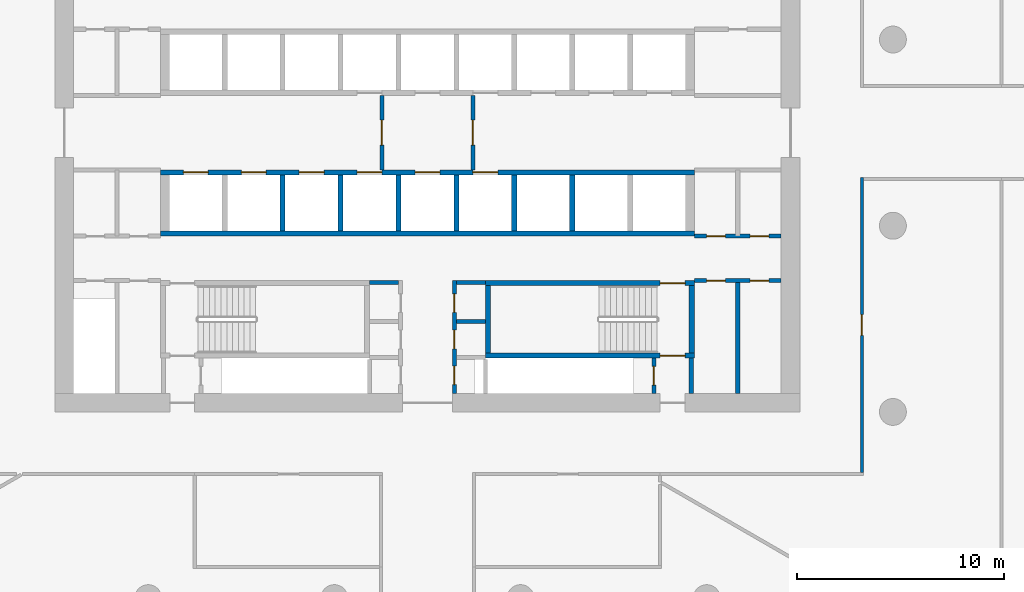
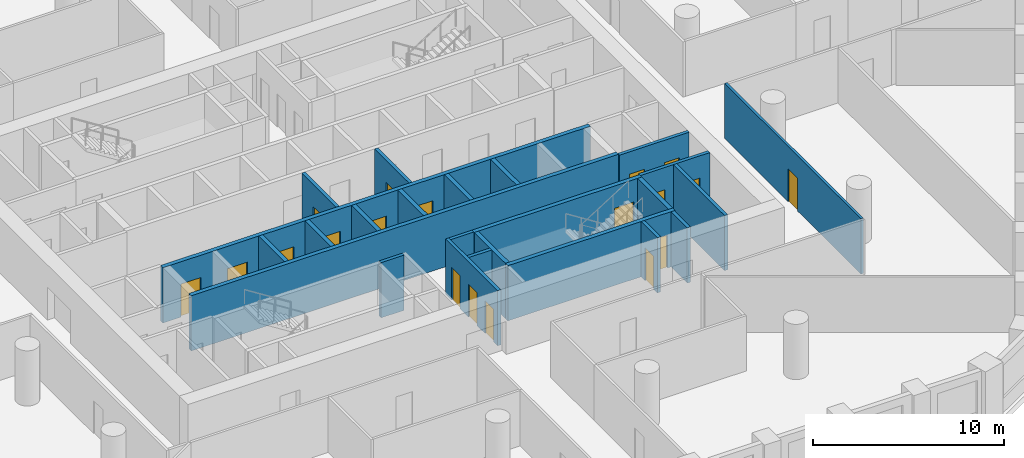
# One storey, part 4 of 10: 24 walls, 19 doors, 19 openings.
"""IFC4 building model written with IfcOpenShell, lengths in metres."""

from ifc_helpers import new_model, si_unit, direction, frame, frame_2d, origin, place, context, subcontext, project, spatial, polyline, rectangle, outline, extrude, material, layer, layer_set, type_object, element, fill, save


model = new_model("IFC4")

# Units and contexts
model_context = context("Model", 3, precision=1e-05, world=origin(), true_north=direction((0.0, 1.0)))
body_context = subcontext(model_context, "Body", "Model", "MODEL_VIEW")
ifc_project = project(units=[si_unit("LENGTHUNIT", "METRE"), si_unit("AREAUNIT", "SQUARE_METRE"), si_unit("VOLUMEUNIT", "CUBIC_METRE"), si_unit("PLANEANGLEUNIT", "RADIAN"), si_unit("MASSUNIT", "GRAM", prefix="KILO")], contexts=[model_context])

# Site, building, storey
site_placement = place(None, origin())
site = spatial("IfcSite", under=ifc_project, at=site_placement, CompositionType="ELEMENT")
building_placement = place(site_placement, origin())
building = spatial("IfcBuilding", under=site, at=building_placement, Name="Dhurran Vertical Campus", CompositionType="ELEMENT")
storey_placement = place(building_placement, frame((0.0, 0.0, 112.5)))
storey = spatial("IfcBuildingStorey", under=building, at=storey_placement, Name="L27", CompositionType="ELEMENT", Elevation=112.5)

# Wall, opening, door
ifc_material_1 = material(Name="Fire-rated masonry blockwork", Category="masonry")
ifc_layer_1 = layer(ifc_material_1, 0.199951171875)
ifc_layer_set_1 = layer_set([ifc_layer_1], Name="Fire-rated masonry blockwork")
wall_type_1 = type_object("IfcWallType", Name="co-FIRE-PARTITION-200", PredefinedType="PARTITIONING", material=ifc_layer_set_1)
wall_1_placement = place(storey_placement, frame((-2.199951171875, -1.800048828125, 0.0), z_axis=(0.0, 0.0, 1.0), x_axis=(0.0, 1.0, 0.0)))
wall_1 = element("IfcWall", 1, at=wall_1_placement, inside=storey, type_object=wall_type_1, Name="Firefighting lobby wall W L27", PredefinedType="PARTITIONING", context=body_context, shape_type="SweptSolid", body=[
    extrude(rectangle(XDim=3.60009765625, YDim=0.199951171875, at=frame_2d((1.800048828125, 0.0))), origin(), (0.0, 0.0, 1.0), 3.52490234375),
])
opening_1_placement = place(wall_1_placement, frame((1.199951171875, 0.0, 0.0)))
opening_1 = element("IfcOpeningElement", 2, at=opening_1_placement, cuts=wall_1, Name="Opening FL1", PredefinedType="OPENING", context=body_context, shape_type="SweptSolid", body=[
    extrude(rectangle(XDim=1.199951171875, YDim=2.10009765625, at=frame_2d((0.60009765625, 1.050048828125))), frame((0.0, 0.10986328125, 0.0), z_axis=(0.0, -1.0, 0.0), x_axis=(1.0, 0.0, 0.0)), (0.0, 0.0, 1.0), 0.219970703125),
])
ifc_material_2 = material(Name="Fire-rated steel door set", Category="steel")
door_type_1 = type_object("IfcDoorType", Name="co-D-FFLOBBY 1200x2100", OperationType="SINGLE_SWING_LEFT", PredefinedType="DOOR", material=ifc_material_2)
door_1_placement = place(opening_1_placement, origin())
door_1 = element("IfcDoor", 3, at=door_1_placement, inside=storey, type_object=door_type_1, Name="Firefighting lobby door W L27", OperationType="SINGLE_SWING_LEFT", OverallHeight=2.10009765625, OverallWidth=1.199951171875, PredefinedType="DOOR", context=body_context, shape_type="SweptSolid", body=[
    extrude(rectangle(XDim=1.199951171875, YDim=2.10009765625, at=frame_2d((0.60009765625, 1.050048828125))), frame((0.0, 0.02490234375, 0.0), z_axis=(0.0, -1.0, 0.0), x_axis=(1.0, 0.0, 0.0)), (0.0, 0.0, 1.0), 0.050048828125),
])
fill(opening_1, door_1)

wall_2_placement = place(storey_placement, frame((2.199951171875, -1.800048828125, 0.0), z_axis=(0.0, 0.0, 1.0), x_axis=(0.0, 1.0, 0.0)))
wall_2 = element("IfcWall", 4, at=wall_2_placement, inside=storey, type_object=wall_type_1, Name="Firefighting lobby wall E L27", PredefinedType="PARTITIONING", context=body_context, shape_type="SweptSolid", body=[
    extrude(rectangle(XDim=3.60009765625, YDim=0.199951171875, at=frame_2d((1.800048828125, 0.0))), origin(), (0.0, 0.0, 1.0), 3.52490234375),
])
opening_2_placement = place(wall_2_placement, frame((1.199951171875, 0.0, 0.0)))
opening_2 = element("IfcOpeningElement", 5, at=opening_2_placement, cuts=wall_2, Name="Opening FL2", PredefinedType="OPENING", context=body_context, shape_type="SweptSolid", body=[
    extrude(rectangle(XDim=1.199951171875, YDim=2.10009765625, at=frame_2d((0.60009765625, 1.050048828125))), frame((0.0, 0.10986328125, 0.0), z_axis=(0.0, -1.0, 0.0), x_axis=(1.0, 0.0, 0.0)), (0.0, 0.0, 1.0), 0.219970703125),
])
door_2_placement = place(opening_2_placement, origin())
door_2 = element("IfcDoor", 6, at=door_2_placement, inside=storey, type_object=door_type_1, Name="Firefighting lobby door E L27", OperationType="SINGLE_SWING_LEFT", OverallHeight=2.10009765625, OverallWidth=1.199951171875, PredefinedType="DOOR", context=body_context, shape_type="SweptSolid", body=[
    extrude(rectangle(XDim=1.199951171875, YDim=2.10009765625, at=frame_2d((0.60009765625, 1.050048828125))), frame((0.0, 0.02490234375, 0.0), z_axis=(0.0, -1.0, 0.0), x_axis=(1.0, 0.0, 0.0)), (0.0, 0.0, 1.0), 0.050048828125),
])
fill(opening_2, door_2)

# Walls
for number, where, z_axis, x_axis, name in (
    (7, (-2.800048828125, -7.25, 0.0), (0.0, 0.0, 1.0), (1.0, 0.0, 0.0), "Core partition sl-SW-S L27"),
    (8, (1.39990234375, -7.25, 0.0), (0.0, 0.0, 1.0), (1.0, 0.0, 0.0), "Core partition sl-SE-S L27"),
    (9, (1.39990234375, -9.135009765625, 0.0), (0.0, 0.0, 1.0), (1.0, 0.0, 0.0), "Core partition sl-SE-cut0 L27"),
):
    element("IfcWall", number, at=place(storey_placement, frame(where, z_axis=z_axis, x_axis=x_axis)), inside=storey, type_object=wall_type_1, Name=name, PredefinedType="PARTITIONING", context=body_context, shape_type="SweptSolid", body=[
        extrude(rectangle(XDim=1.400146484375, YDim=0.199951171875, at=frame_2d((0.7001953125, 0.0))), origin(), (0.0, 0.0, 1.0), 3.52490234375),
    ])

# Wall, openings, doors
wall_3_placement = place(storey_placement, frame((1.300048828125, -12.60009765625, 0.0), z_axis=(0.0, 0.0, 1.0), x_axis=(0.0, 1.0, 0.0)))
wall_3 = element("IfcWall", 10, at=wall_3_placement, inside=storey, type_object=wall_type_1, Name="Core partition vest-SE L27", PredefinedType="PARTITIONING", context=body_context, shape_type="SweptSolid", body=[
    extrude(rectangle(XDim=5.4501953125, YDim=0.199951171875, at=frame_2d((2.72509765625, 0.0))), origin(), (0.0, 0.0, 1.0), 3.52490234375),
])
opening_3_placement = place(wall_3_placement, frame((0.416259765625, 0.0, 0.0)))
opening_3 = element("IfcOpeningElement", 11, at=opening_3_placement, cuts=wall_3, Name="Opening T07-C4", PredefinedType="OPENING", context=body_context, shape_type="SweptSolid", body=[
    extrude(rectangle(XDim=0.89990234375, YDim=2.10009765625, at=frame_2d((0.449951171875, 1.050048828125))), frame((0.0, 0.10986328125, 0.0), z_axis=(0.0, -1.0, 0.0), x_axis=(1.0, 0.0, 0.0)), (0.0, 0.0, 1.0), 0.219970703125),
])
opening_4_placement = place(wall_3_placement, frame((2.148681640625, 0.0, 0.0)))
opening_4 = element("IfcOpeningElement", 12, at=opening_4_placement, cuts=wall_3, Name="Opening T07-C5", PredefinedType="OPENING", context=body_context, shape_type="SweptSolid", body=[
    extrude(rectangle(XDim=0.89990234375, YDim=2.10009765625, at=frame_2d((0.449951171875, 1.050048828125))), frame((0.0, 0.10986328125, 0.0), z_axis=(0.0, -1.0, 0.0), x_axis=(1.0, 0.0, 0.0)), (0.0, 0.0, 1.0), 0.219970703125),
])
opening_5_placement = place(wall_3_placement, frame((3.907470703125, 0.0, 0.0)))
opening_5 = element("IfcOpeningElement", 13, at=opening_5_placement, cuts=wall_3, Name="Opening T07-C6", PredefinedType="OPENING", context=body_context, shape_type="SweptSolid", body=[
    extrude(rectangle(XDim=0.89990234375, YDim=2.10009765625, at=frame_2d((0.449951171875, 1.050048828125))), frame((0.0, 0.10986328125, 0.0), z_axis=(0.0, -1.0, 0.0), x_axis=(1.0, 0.0, 0.0)), (0.0, 0.0, 1.0), 0.219970703125),
])
ifc_material_3 = material(Name="Fire-rated timber door set", Category="wood")
door_type_2 = type_object("IfcDoorType", Name="co-D-ROOM 900x2100", OperationType="SINGLE_SWING_LEFT", PredefinedType="DOOR", material=ifc_material_3)
door_3_placement = place(opening_3_placement, origin())
door_3 = element("IfcDoor", 14, at=door_3_placement, inside=storey, type_object=door_type_2, Name="Electrical riser door L27", OperationType="SINGLE_SWING_LEFT", OverallHeight=2.10009765625, OverallWidth=0.89990234375, PredefinedType="DOOR", context=body_context, shape_type="SweptSolid", body=[
    extrude(rectangle(XDim=0.89990234375, YDim=2.10009765625, at=frame_2d((0.449951171875, 1.050048828125))), frame((0.0, 0.02490234375, 0.0), z_axis=(0.0, -1.0, 0.0), x_axis=(1.0, 0.0, 0.0)), (0.0, 0.0, 1.0), 0.050048828125),
])
fill(opening_3, door_3)
door_4_placement = place(opening_4_placement, origin())
door_4 = element("IfcDoor", 15, at=door_4_placement, inside=storey, type_object=door_type_2, Name="Fire equipment store door L27", OperationType="SINGLE_SWING_LEFT", OverallHeight=2.10009765625, OverallWidth=0.89990234375, PredefinedType="DOOR", context=body_context, shape_type="SweptSolid", body=[
    extrude(rectangle(XDim=0.89990234375, YDim=2.10009765625, at=frame_2d((0.449951171875, 1.050048828125))), frame((0.0, 0.02490234375, 0.0), z_axis=(0.0, -1.0, 0.0), x_axis=(1.0, 0.0, 0.0)), (0.0, 0.0, 1.0), 0.050048828125),
])
fill(opening_4, door_4)
door_5_placement = place(opening_5_placement, origin())
door_5 = element("IfcDoor", 16, at=door_5_placement, inside=storey, type_object=door_type_2, Name="Pantry door L27", OperationType="SINGLE_SWING_LEFT", OverallHeight=2.10009765625, OverallWidth=0.89990234375, PredefinedType="DOOR", context=body_context, shape_type="SweptSolid", body=[
    extrude(rectangle(XDim=0.89990234375, YDim=2.10009765625, at=frame_2d((0.449951171875, 1.050048828125))), frame((0.0, 0.02490234375, 0.0), z_axis=(0.0, -1.0, 0.0), x_axis=(1.0, 0.0, 0.0)), (0.0, 0.0, 1.0), 0.050048828125),
])
fill(opening_5, door_5)

# Wall
wall_4_placement = place(storey_placement, frame((12.75, -12.60009765625, 0.0), z_axis=(0.0, 0.0, 1.0), x_axis=(0.0, 1.0, 0.0)))
element("IfcWall", 17, at=wall_4_placement, inside=storey, type_object=wall_type_1, Name="Core partition pass-ST4-o L27", PredefinedType="PARTITIONING", context=body_context, shape_type="SweptSolid", body=[
    extrude(rectangle(XDim=1.7001953125, YDim=0.199951171875, at=frame_2d((0.85009765625, 0.0))), origin(), (0.0, 0.0, 1.0), 3.52490234375),
])

# Wall, opening, door
wall_5_placement = place(storey_placement, frame((10.949951171875, -12.60009765625, 0.0), z_axis=(0.0, 0.0, 1.0), x_axis=(0.0, 1.0, 0.0)))
wall_5 = element("IfcWall", 18, at=wall_5_placement, inside=storey, type_object=wall_type_1, Name="Core partition pass-ST4-i L27", PredefinedType="PARTITIONING", context=body_context, shape_type="SweptSolid", body=[
    extrude(rectangle(XDim=1.7001953125, YDim=0.199951171875, at=frame_2d((0.85009765625, 0.0))), origin(), (0.0, 0.0, 1.0), 3.52490234375),
])
opening_6_placement = place(wall_5_placement, frame((0.39990234375, 0.0, 0.0)))
opening_6 = element("IfcOpeningElement", 19, at=opening_6_placement, cuts=wall_5, Name="Opening T07-C16", PredefinedType="OPENING", context=body_context, shape_type="SweptSolid", body=[
    extrude(rectangle(XDim=0.89990234375, YDim=2.10009765625, at=frame_2d((0.449951171875, 1.050048828125))), frame((0.0, 0.10986328125, 0.0), z_axis=(0.0, -1.0, 0.0), x_axis=(1.0, 0.0, 0.0)), (0.0, 0.0, 1.0), 0.219970703125),
])
door_6_placement = place(opening_6_placement, origin())
door_6 = element("IfcDoor", 20, at=door_6_placement, inside=storey, type_object=door_type_2, Name="Riser room door L27", OperationType="SINGLE_SWING_LEFT", OverallHeight=2.10009765625, OverallWidth=0.89990234375, PredefinedType="DOOR", context=body_context, shape_type="SweptSolid", body=[
    extrude(rectangle(XDim=0.89990234375, YDim=2.10009765625, at=frame_2d((0.449951171875, 1.050048828125))), frame((0.0, 0.02490234375, 0.0), z_axis=(0.0, -1.0, 0.0), x_axis=(1.0, 0.0, 0.0)), (0.0, 0.0, 1.0), 0.050048828125),
])
fill(opening_6, door_6)

# Wall
wall_6_placement = place(storey_placement, frame((15.0, -12.60009765625, 0.0), z_axis=(0.0, 0.0, 1.0), x_axis=(0.0, 1.0, 0.0)))
element("IfcWall", 21, at=wall_6_placement, inside=storey, type_object=wall_type_1, Name="Core partition en-SE-cut0 L27", PredefinedType="PARTITIONING", context=body_context, shape_type="SweptSolid", body=[
    extrude(rectangle(XDim=5.4501953125, YDim=0.199951171875, at=frame_2d((2.72509765625, 0.0))), origin(), (0.0, 0.0, 1.0), 3.52490234375),
])

# Wall, openings, doors
wall_7_placement = place(storey_placement, frame((12.89990234375, -7.14990234375, 0.0), z_axis=(0.0, 0.0, 1.0), x_axis=(1.0, 0.0, 0.0)))
wall_7 = element("IfcWall", 22, at=wall_7_placement, inside=storey, type_object=wall_type_1, Name="Core partition en-SE-w L27", PredefinedType="PARTITIONING", context=body_context, shape_type="SweptSolid", body=[
    extrude(rectangle(XDim=4.2001953125, YDim=0.199951171875, at=frame_2d((2.10009765625, 0.0))), origin(), (0.0, 0.0, 1.0), 3.52490234375),
])
opening_7_placement = place(wall_7_placement, frame((0.60009765625, 0.0, 0.0)))
opening_7 = element("IfcOpeningElement", 23, at=opening_7_placement, cuts=wall_7, Name="Opening T07-C28", PredefinedType="OPENING", context=body_context, shape_type="SweptSolid", body=[
    extrude(rectangle(XDim=0.89990234375, YDim=2.10009765625, at=frame_2d((0.449951171875, 1.050048828125))), frame((0.0, 0.10986328125, 0.0), z_axis=(0.0, -1.0, 0.0), x_axis=(1.0, 0.0, 0.0)), (0.0, 0.0, 1.0), 0.219970703125),
])
opening_8_placement = place(wall_7_placement, frame((2.699951171875, 0.0, 0.0)))
opening_8 = element("IfcOpeningElement", 24, at=opening_8_placement, cuts=wall_7, Name="Opening T07-C29", PredefinedType="OPENING", context=body_context, shape_type="SweptSolid", body=[
    extrude(rectangle(XDim=0.89990234375, YDim=2.10009765625, at=frame_2d((0.449951171875, 1.050048828125))), frame((0.0, 0.10986328125, 0.0), z_axis=(0.0, -1.0, 0.0), x_axis=(1.0, 0.0, 0.0)), (0.0, 0.0, 1.0), 0.219970703125),
])
door_7_placement = place(opening_7_placement, origin())
door_7 = element("IfcDoor", 25, at=door_7_placement, inside=storey, type_object=door_type_2, Name="Communications room door L27", OperationType="SINGLE_SWING_LEFT", OverallHeight=2.10009765625, OverallWidth=0.89990234375, PredefinedType="DOOR", context=body_context, shape_type="SweptSolid", body=[
    extrude(rectangle(XDim=0.89990234375, YDim=2.10009765625, at=frame_2d((0.449951171875, 1.050048828125))), frame((0.0, 0.02490234375, 0.0), z_axis=(0.0, -1.0, 0.0), x_axis=(1.0, 0.0, 0.0)), (0.0, 0.0, 1.0), 0.050048828125),
])
fill(opening_7, door_7)
door_8_placement = place(opening_8_placement, origin())
door_8 = element("IfcDoor", 26, at=door_8_placement, inside=storey, type_object=door_type_2, Name="Waste room door L27", OperationType="SINGLE_SWING_LEFT", OverallHeight=2.10009765625, OverallWidth=0.89990234375, PredefinedType="DOOR", context=body_context, shape_type="SweptSolid", body=[
    extrude(rectangle(XDim=0.89990234375, YDim=2.10009765625, at=frame_2d((0.449951171875, 1.050048828125))), frame((0.0, 0.02490234375, 0.0), z_axis=(0.0, -1.0, 0.0), x_axis=(1.0, 0.0, 0.0)), (0.0, 0.0, 1.0), 0.050048828125),
])
fill(opening_8, door_8)

wall_8_placement = place(storey_placement, frame((12.89990234375, -5.0, 0.0), z_axis=(0.0, 0.0, 1.0), x_axis=(1.0, 0.0, 0.0)))
wall_8 = element("IfcWall", 27, at=wall_8_placement, inside=storey, type_object=wall_type_1, Name="Core partition es-SE-w L27", PredefinedType="PARTITIONING", context=body_context, shape_type="SweptSolid", body=[
    extrude(rectangle(XDim=4.2001953125, YDim=0.199951171875, at=frame_2d((2.10009765625, 0.0))), origin(), (0.0, 0.0, 1.0), 3.52490234375),
])
opening_9_placement = place(wall_8_placement, frame((0.60009765625, 0.0, 0.0)))
opening_9 = element("IfcOpeningElement", 28, at=opening_9_placement, cuts=wall_8, Name="Opening T07-C30", PredefinedType="OPENING", context=body_context, shape_type="SweptSolid", body=[
    extrude(rectangle(XDim=0.89990234375, YDim=2.10009765625, at=frame_2d((0.449951171875, 1.050048828125))), frame((0.0, 0.10986328125, 0.0), z_axis=(0.0, -1.0, 0.0), x_axis=(1.0, 0.0, 0.0)), (0.0, 0.0, 1.0), 0.219970703125),
])
opening_10_placement = place(wall_8_placement, frame((2.699951171875, 0.0, 0.0)))
opening_10 = element("IfcOpeningElement", 29, at=opening_10_placement, cuts=wall_8, Name="Opening T07-C31", PredefinedType="OPENING", context=body_context, shape_type="SweptSolid", body=[
    extrude(rectangle(XDim=0.89990234375, YDim=2.10009765625, at=frame_2d((0.449951171875, 1.050048828125))), frame((0.0, 0.10986328125, 0.0), z_axis=(0.0, -1.0, 0.0), x_axis=(1.0, 0.0, 0.0)), (0.0, 0.0, 1.0), 0.219970703125),
])
door_9_placement = place(opening_9_placement, origin())
door_9 = element("IfcDoor", 30, at=door_9_placement, inside=storey, type_object=door_type_2, Name="Waste room door L27", OperationType="SINGLE_SWING_LEFT", OverallHeight=2.10009765625, OverallWidth=0.89990234375, PredefinedType="DOOR", context=body_context, shape_type="SweptSolid", body=[
    extrude(rectangle(XDim=0.89990234375, YDim=2.10009765625, at=frame_2d((0.449951171875, 1.050048828125))), frame((0.0, 0.02490234375, 0.0), z_axis=(0.0, -1.0, 0.0), x_axis=(1.0, 0.0, 0.0)), (0.0, 0.0, 1.0), 0.050048828125),
])
fill(opening_9, door_9)
door_10_placement = place(opening_10_placement, origin())
door_10 = element("IfcDoor", 31, at=door_10_placement, inside=storey, type_object=door_type_2, Name="Store door L27", OperationType="SINGLE_SWING_LEFT", OverallHeight=2.10009765625, OverallWidth=0.89990234375, PredefinedType="DOOR", context=body_context, shape_type="SweptSolid", body=[
    extrude(rectangle(XDim=0.89990234375, YDim=2.10009765625, at=frame_2d((0.449951171875, 1.050048828125))), frame((0.0, 0.02490234375, 0.0), z_axis=(0.0, -1.0, 0.0), x_axis=(1.0, 0.0, 0.0)), (0.0, 0.0, 1.0), 0.050048828125),
])
fill(opening_10, door_10)

ifc_material_4 = material(Name="Concrete C50/60", Category="concrete")
ifc_layer_2 = layer(ifc_material_4, 0.25)
ifc_layer_set_2 = layer_set([ifc_layer_2], Name="Concrete C50/60")
wall_type_2 = type_object("IfcWallType", Name="co-SHAFT-FRONT-250", PredefinedType="SHEAR", material=ifc_layer_set_2)
wall_9_placement = place(storey_placement, frame((-12.89990234375, -1.925048828125, 0.0), z_axis=(0.0, 0.0, 1.0), x_axis=(1.0, 0.0, 0.0)))
wall_9 = element("IfcWall", 32, at=wall_9_placement, inside=storey, type_object=wall_type_2, Name="Lift landing wall S L27", PredefinedType="SHEAR", context=body_context, shape_type="SweptSolid", body=[
    extrude(rectangle(XDim=25.7998046875, YDim=0.25, at=frame_2d((12.89990234375, 0.0))), origin(), (0.0, 0.0, 1.0), 3.52490234375),
])
opening_11_placement = place(wall_9_placement, frame((1.10009765625, 0.0, 0.0)))
opening_11 = element("IfcOpeningElement", 33, at=opening_11_placement, cuts=wall_9, Name="Opening LD", PredefinedType="OPENING", context=body_context, shape_type="SweptSolid", body=[
    extrude(rectangle(XDim=1.199951171875, YDim=2.10009765625, at=frame_2d((0.60009765625, 1.050048828125))), frame((0.0, 0.135009765625, 0.0), z_axis=(0.0, -1.0, 0.0), x_axis=(1.0, 0.0, 0.0)), (0.0, 0.0, 1.0), 0.27001953125),
])
opening_12_placement = place(wall_9_placement, frame((3.89990234375, 0.0, 0.0)))
opening_12 = element("IfcOpeningElement", 34, at=opening_12_placement, cuts=wall_9, Name="Opening LD", PredefinedType="OPENING", context=body_context, shape_type="SweptSolid", body=[
    extrude(rectangle(XDim=1.199951171875, YDim=2.10009765625, at=frame_2d((0.60009765625, 1.050048828125))), frame((0.0, 0.135009765625, 0.0), z_axis=(0.0, -1.0, 0.0), x_axis=(1.0, 0.0, 0.0)), (0.0, 0.0, 1.0), 0.27001953125),
])
opening_13_placement = place(wall_9_placement, frame((6.699951171875, 0.0, 0.0)))
opening_13 = element("IfcOpeningElement", 35, at=opening_13_placement, cuts=wall_9, Name="Opening LD", PredefinedType="OPENING", context=body_context, shape_type="SweptSolid", body=[
    extrude(rectangle(XDim=1.199951171875, YDim=2.10009765625, at=frame_2d((0.60009765625, 1.050048828125))), frame((0.0, 0.135009765625, 0.0), z_axis=(0.0, -1.0, 0.0), x_axis=(1.0, 0.0, 0.0)), (0.0, 0.0, 1.0), 0.27001953125),
])
opening_14_placement = place(wall_9_placement, frame((9.5, 0.0, 0.0)))
opening_14 = element("IfcOpeningElement", 36, at=opening_14_placement, cuts=wall_9, Name="Opening LD", PredefinedType="OPENING", context=body_context, shape_type="SweptSolid", body=[
    extrude(rectangle(XDim=1.199951171875, YDim=2.10009765625, at=frame_2d((0.60009765625, 1.050048828125))), frame((0.0, 0.135009765625, 0.0), z_axis=(0.0, -1.0, 0.0), x_axis=(1.0, 0.0, 0.0)), (0.0, 0.0, 1.0), 0.27001953125),
])
opening_15_placement = place(wall_9_placement, frame((12.300048828125, 0.0, 0.0)))
opening_15 = element("IfcOpeningElement", 37, at=opening_15_placement, cuts=wall_9, Name="Opening LD", PredefinedType="OPENING", context=body_context, shape_type="SweptSolid", body=[
    extrude(rectangle(XDim=1.199951171875, YDim=2.10009765625, at=frame_2d((0.60009765625, 1.050048828125))), frame((0.0, 0.135009765625, 0.0), z_axis=(0.0, -1.0, 0.0), x_axis=(1.0, 0.0, 0.0)), (0.0, 0.0, 1.0), 0.27001953125),
])
opening_16_placement = place(wall_9_placement, frame((15.10009765625, 0.0, 0.0)))
opening_16 = element("IfcOpeningElement", 38, at=opening_16_placement, cuts=wall_9, Name="Opening LD", PredefinedType="OPENING", context=body_context, shape_type="SweptSolid", body=[
    extrude(rectangle(XDim=1.199951171875, YDim=2.10009765625, at=frame_2d((0.60009765625, 1.050048828125))), frame((0.0, 0.135009765625, 0.0), z_axis=(0.0, -1.0, 0.0), x_axis=(1.0, 0.0, 0.0)), (0.0, 0.0, 1.0), 0.27001953125),
])
ifc_material_5 = material(Name="Stainless steel landing door", Category="steel")
door_type_3 = type_object("IfcDoorType", Name="co-D-LANDING 1200x2100", OperationType="DOUBLE_DOOR_SLIDING", PredefinedType="DOOR", material=ifc_material_5)
door_11_placement = place(opening_11_placement, origin())
door_11 = element("IfcDoor", 39, at=door_11_placement, inside=storey, type_object=door_type_3, Name="Landing door LR5 L27", OperationType="DOUBLE_DOOR_SLIDING", OverallHeight=2.10009765625, OverallWidth=1.199951171875, PredefinedType="DOOR", context=body_context, shape_type="SweptSolid", body=[
    extrude(rectangle(XDim=1.199951171875, YDim=2.10009765625, at=frame_2d((0.60009765625, 1.050048828125))), frame((0.0, 0.02490234375, 0.0), z_axis=(0.0, -1.0, 0.0), x_axis=(1.0, 0.0, 0.0)), (0.0, 0.0, 1.0), 0.050048828125),
])
fill(opening_11, door_11)
door_12_placement = place(opening_12_placement, origin())
door_12 = element("IfcDoor", 40, at=door_12_placement, inside=storey, type_object=door_type_3, Name="Landing door LR6 L27", OperationType="DOUBLE_DOOR_SLIDING", OverallHeight=2.10009765625, OverallWidth=1.199951171875, PredefinedType="DOOR", context=body_context, shape_type="SweptSolid", body=[
    extrude(rectangle(XDim=1.199951171875, YDim=2.10009765625, at=frame_2d((0.60009765625, 1.050048828125))), frame((0.0, 0.02490234375, 0.0), z_axis=(0.0, -1.0, 0.0), x_axis=(1.0, 0.0, 0.0)), (0.0, 0.0, 1.0), 0.050048828125),
])
fill(opening_12, door_12)
door_13_placement = place(opening_13_placement, origin())
door_13 = element("IfcDoor", 41, at=door_13_placement, inside=storey, type_object=door_type_3, Name="Landing door LR7 L27", OperationType="DOUBLE_DOOR_SLIDING", OverallHeight=2.10009765625, OverallWidth=1.199951171875, PredefinedType="DOOR", context=body_context, shape_type="SweptSolid", body=[
    extrude(rectangle(XDim=1.199951171875, YDim=2.10009765625, at=frame_2d((0.60009765625, 1.050048828125))), frame((0.0, 0.02490234375, 0.0), z_axis=(0.0, -1.0, 0.0), x_axis=(1.0, 0.0, 0.0)), (0.0, 0.0, 1.0), 0.050048828125),
])
fill(opening_13, door_13)
door_14_placement = place(opening_14_placement, origin())
door_14 = element("IfcDoor", 42, at=door_14_placement, inside=storey, type_object=door_type_3, Name="Landing door LR8 L27", OperationType="DOUBLE_DOOR_SLIDING", OverallHeight=2.10009765625, OverallWidth=1.199951171875, PredefinedType="DOOR", context=body_context, shape_type="SweptSolid", body=[
    extrude(rectangle(XDim=1.199951171875, YDim=2.10009765625, at=frame_2d((0.60009765625, 1.050048828125))), frame((0.0, 0.02490234375, 0.0), z_axis=(0.0, -1.0, 0.0), x_axis=(1.0, 0.0, 0.0)), (0.0, 0.0, 1.0), 0.050048828125),
])
fill(opening_14, door_14)
door_15_placement = place(opening_15_placement, origin())
door_15 = element("IfcDoor", 43, at=door_15_placement, inside=storey, type_object=door_type_3, Name="Landing door FF2 L27", OperationType="DOUBLE_DOOR_SLIDING", OverallHeight=2.10009765625, OverallWidth=1.199951171875, PredefinedType="DOOR", context=body_context, shape_type="SweptSolid", body=[
    extrude(rectangle(XDim=1.199951171875, YDim=2.10009765625, at=frame_2d((0.60009765625, 1.050048828125))), frame((0.0, 0.02490234375, 0.0), z_axis=(0.0, -1.0, 0.0), x_axis=(1.0, 0.0, 0.0)), (0.0, 0.0, 1.0), 0.050048828125),
])
fill(opening_15, door_15)
door_16_placement = place(opening_16_placement, origin())
door_16 = element("IfcDoor", 44, at=door_16_placement, inside=storey, type_object=door_type_3, Name="Landing door SV1 L27", OperationType="DOUBLE_DOOR_SLIDING", OverallHeight=2.10009765625, OverallWidth=1.199951171875, PredefinedType="DOOR", context=body_context, shape_type="SweptSolid", body=[
    extrude(rectangle(XDim=1.199951171875, YDim=2.10009765625, at=frame_2d((0.60009765625, 1.050048828125))), frame((0.0, 0.02490234375, 0.0), z_axis=(0.0, -1.0, 0.0), x_axis=(1.0, 0.0, 0.0)), (0.0, 0.0, 1.0), 0.050048828125),
])
fill(opening_16, door_16)

# Walls
ifc_material_6 = material(Name="Concrete C50/60", Category="concrete")
ifc_layer_3 = layer(ifc_material_6, 0.25)
ifc_layer_set_3 = layer_set([ifc_layer_3], Name="Concrete C50/60")
wall_type_3 = type_object("IfcWallType", Name="co-SHAFT-MASS-250", PredefinedType="SHEAR", material=ifc_layer_set_3)
wall_10_placement = place(storey_placement, origin())
element("IfcWall", 45, at=wall_10_placement, inside=storey, type_object=wall_type_3, Name="Lift shaft wall S L27 1", PredefinedType="SHEAR", context=body_context, shape_type="SweptSolid", body=[
    extrude(outline(polyline([(-12.89990234375, -5.0), (12.89990234375, -5.0), (12.89990234375, -4.75), (-12.89990234375, -4.75), (-12.89990234375, -5.0)])), origin(), (0.0, 0.0, 1.0), 3.52490234375),
])
wall_11_placement = place(storey_placement, origin())
element("IfcWall", 46, at=wall_11_placement, inside=storey, type_object=wall_type_3, Name="Lift shaft wall S L27 4", PredefinedType="SHEAR", context=body_context, shape_type="SweptSolid", body=[
    extrude(outline(polyline([(-7.125, -4.75), (-6.875, -4.75), (-6.875, -2.050048828125), (-7.125, -2.050048828125), (-7.125, -4.75)])), origin(), (0.0, 0.0, 1.0), 3.52490234375),
])
wall_12_placement = place(storey_placement, origin())
element("IfcWall", 47, at=wall_12_placement, inside=storey, type_object=wall_type_3, Name="Lift shaft wall S L27 5", PredefinedType="SHEAR", context=body_context, shape_type="SweptSolid", body=[
    extrude(outline(polyline([(-4.324951171875, -4.75), (-4.074951171875, -4.75), (-4.074951171875, -2.050048828125), (-4.324951171875, -2.050048828125), (-4.324951171875, -4.75)])), origin(), (0.0, 0.0, 1.0), 3.52490234375),
])
wall_13_placement = place(storey_placement, origin())
element("IfcWall", 48, at=wall_13_placement, inside=storey, type_object=wall_type_3, Name="Lift shaft wall S L27 6", PredefinedType="SHEAR", context=body_context, shape_type="SweptSolid", body=[
    extrude(outline(polyline([(-1.52490234375, -4.75), (-1.27490234375, -4.75), (-1.27490234375, -2.050048828125), (-1.52490234375, -2.050048828125), (-1.52490234375, -4.75)])), origin(), (0.0, 0.0, 1.0), 3.52490234375),
])
wall_14_placement = place(storey_placement, origin())
element("IfcWall", 49, at=wall_14_placement, inside=storey, type_object=wall_type_3, Name="Lift shaft wall S L27 7", PredefinedType="SHEAR", context=body_context, shape_type="SweptSolid", body=[
    extrude(outline(polyline([(1.27490234375, -4.75), (1.52490234375, -4.75), (1.52490234375, -2.050048828125), (1.27490234375, -2.050048828125), (1.27490234375, -4.75)])), origin(), (0.0, 0.0, 1.0), 3.52490234375),
])
wall_15_placement = place(storey_placement, origin())
element("IfcWall", 50, at=wall_15_placement, inside=storey, type_object=wall_type_3, Name="Lift shaft wall S L27 8", PredefinedType="SHEAR", context=body_context, shape_type="SweptSolid", body=[
    extrude(outline(polyline([(4.074951171875, -4.75), (4.324951171875, -4.75), (4.324951171875, -2.050048828125), (4.074951171875, -2.050048828125), (4.074951171875, -4.75)])), origin(), (0.0, 0.0, 1.0), 3.52490234375),
])
wall_16_placement = place(storey_placement, origin())
element("IfcWall", 51, at=wall_16_placement, inside=storey, type_object=wall_type_3, Name="Lift shaft wall S L27 9", PredefinedType="SHEAR", context=body_context, shape_type="SweptSolid", body=[
    extrude(outline(polyline([(6.875, -4.75), (7.125, -4.75), (7.125, -2.050048828125), (6.875, -2.050048828125), (6.875, -4.75)])), origin(), (0.0, 0.0, 1.0), 3.52490234375),
])

# Wall, opening, door
ifc_material_7 = material(Name="Concrete C40/50", Category="concrete")
ifc_layer_4 = layer(ifc_material_7, 0.25)
ifc_layer_set_4 = layer_set([ifc_layer_4], Name="Concrete C40/50")
wall_type_4 = type_object("IfcWallType", Name="co-STAIR-WALL-250", PredefinedType="SHEAR", material=ifc_layer_set_4)
wall_17_placement = place(storey_placement, frame((2.800048828125, -10.77490234375, 0.0), z_axis=(0.0, 0.0, 1.0), x_axis=(1.0, 0.0, 0.0)))
wall_17 = element("IfcWall", 52, at=wall_17_placement, inside=storey, type_object=wall_type_4, Name="Stair ST4 enclosure wall L27", PredefinedType="SHEAR", context=body_context, shape_type="SweptSolid", body=[
    extrude(rectangle(XDim=10.099853515625, YDim=0.25, at=frame_2d((5.0498046875, 0.0))), origin(), (0.0, 0.0, 1.0), 3.52490234375),
])
opening_17_placement = place(wall_17_placement, frame((8.449951171875, 0.0, 0.0)))
opening_17 = element("IfcOpeningElement", 53, at=opening_17_placement, cuts=wall_17, Name="Opening XS4", PredefinedType="OPENING", context=body_context, shape_type="SweptSolid", body=[
    extrude(rectangle(XDim=1.199951171875, YDim=2.10009765625, at=frame_2d((0.60009765625, 1.050048828125))), frame((0.0, 0.135009765625, 0.0), z_axis=(0.0, -1.0, 0.0), x_axis=(1.0, 0.0, 0.0)), (0.0, 0.0, 1.0), 0.27001953125),
])
ifc_material_8 = material(Name="Fire-rated steel door set", Category="steel")
door_type_4 = type_object("IfcDoorType", Name="co-D-STAIR-EXIT 1200x2100", OperationType="SINGLE_SWING_RIGHT", PredefinedType="DOOR", material=ifc_material_8)
door_17_placement = place(opening_17_placement, origin())
door_17 = element("IfcDoor", 54, at=door_17_placement, inside=storey, type_object=door_type_4, Name="Stair ST4 discharge door L27", OperationType="SINGLE_SWING_RIGHT", OverallHeight=2.10009765625, OverallWidth=1.199951171875, PredefinedType="DOOR", context=body_context, shape_type="SweptSolid", body=[
    extrude(rectangle(XDim=1.199951171875, YDim=2.10009765625, at=frame_2d((0.60009765625, 1.050048828125))), frame((0.0, 0.02490234375, 0.0), z_axis=(0.0, -1.0, 0.0), x_axis=(1.0, 0.0, 0.0)), (0.0, 0.0, 1.0), 0.050048828125),
])
fill(opening_17, door_17)

wall_18_placement = place(storey_placement, frame((2.800048828125, -7.27490234375, 0.0), z_axis=(0.0, 0.0, 1.0), x_axis=(1.0, 0.0, 0.0)))
wall_18 = element("IfcWall", 55, at=wall_18_placement, inside=storey, type_object=wall_type_4, Name="Stair ST4 enclosure wall L27", PredefinedType="SHEAR", context=body_context, shape_type="SweptSolid", body=[
    extrude(rectangle(XDim=10.099853515625, YDim=0.25, at=frame_2d((5.0498046875, 0.0))), origin(), (0.0, 0.0, 1.0), 3.52490234375),
])
opening_18_placement = place(wall_18_placement, frame((8.449951171875, 0.0, 0.0)))
opening_18 = element("IfcOpeningElement", 56, at=opening_18_placement, cuts=wall_18, Name="Opening SD4", PredefinedType="OPENING", context=body_context, shape_type="SweptSolid", body=[
    extrude(rectangle(XDim=1.199951171875, YDim=2.10009765625, at=frame_2d((0.60009765625, 1.050048828125))), frame((0.0, 0.135009765625, 0.0), z_axis=(0.0, -1.0, 0.0), x_axis=(1.0, 0.0, 0.0)), (0.0, 0.0, 1.0), 0.27001953125),
])
ifc_material_9 = material(Name="Fire-rated steel door set", Category="steel")
door_type_5 = type_object("IfcDoorType", Name="co-D-STAIR 1200x2100", OperationType="SINGLE_SWING_LEFT", PredefinedType="DOOR", material=ifc_material_9)
door_18_placement = place(opening_18_placement, origin())
door_18 = element("IfcDoor", 57, at=door_18_placement, inside=storey, type_object=door_type_5, Name="Stair ST4 door L27", OperationType="SINGLE_SWING_LEFT", OverallHeight=2.10009765625, OverallWidth=1.199951171875, PredefinedType="DOOR", context=body_context, shape_type="SweptSolid", body=[
    extrude(rectangle(XDim=1.199951171875, YDim=2.10009765625, at=frame_2d((0.60009765625, 1.050048828125))), frame((0.0, 0.02490234375, 0.0), z_axis=(0.0, -1.0, 0.0), x_axis=(1.0, 0.0, 0.0)), (0.0, 0.0, 1.0), 0.050048828125),
])
fill(opening_18, door_18)

# Walls
for number, where, z_axis, x_axis, name in (
    (58, (2.925048828125, -10.64990234375, 0.0), (0.0, 0.0, 1.0), (0.0, 1.0, 0.0), "Stair ST4 enclosure wall L27"),
    (59, (12.77490234375, -10.64990234375, 0.0), (0.0, 0.0, 1.0), (0.0, 1.0, 0.0), "Stair ST4 enclosure wall L27"),
):
    element("IfcWall", number, at=place(storey_placement, frame(where, z_axis=z_axis, x_axis=x_axis)), inside=storey, type_object=wall_type_4, Name=name, PredefinedType="SHEAR", context=body_context, shape_type="SweptSolid", body=[
        extrude(rectangle(XDim=3.25, YDim=0.25, at=frame_2d((1.625, 0.0))), origin(), (0.0, 0.0, 1.0), 3.52490234375),
    ])

# Wall, opening, door
ifc_material_10 = material(Name="Gypsum board corridor wall on steel studs", Category="steel")
ifc_layer_5 = layer(ifc_material_10, 0.14990234375)
ifc_layer_set_5 = layer_set([ifc_layer_5], Name="Gypsum board corridor wall on steel studs")
wall_type_5 = type_object("IfcWallType", Name="fl-CW-150 corridor wall", PredefinedType="PARTITIONING", material=ifc_layer_set_5)
wall_19_placement = place(storey_placement, frame((21.0, -16.425048828125, 0.0), z_axis=(0.0, 0.0, 1.0), x_axis=(0.0, 1.0, 0.0)))
wall_19 = element("IfcWall", 60, at=wall_19_placement, inside=storey, type_object=wall_type_5, Name="Partition 27-52", PredefinedType="PARTITIONING", context=body_context, shape_type="SweptSolid", body=[
    extrude(rectangle(XDim=14.25, YDim=0.14990234375, at=frame_2d((7.125, 0.0))), origin(), (0.0, 0.0, 1.0), 3.52490234375),
])
opening_19_placement = place(wall_19_placement, frame((6.625, 0.0, 0.0)))
opening_19 = element("IfcOpeningElement", 61, at=opening_19_placement, cuts=wall_19, Name="Opening T07.17", PredefinedType="OPENING", context=body_context, shape_type="SweptSolid", body=[
    extrude(rectangle(XDim=1.0, YDim=2.10009765625, at=frame_2d((0.5, 1.050048828125))), frame((0.0, 0.0849609375, 0.0), z_axis=(0.0, -1.0, 0.0), x_axis=(1.0, 0.0, 0.0)), (0.0, 0.0, 1.0), 0.169921875),
])
ifc_material_11 = material(Name="Solid-core timber door set, fire-rated", Category="wood")
door_type_6 = type_object("IfcDoorType", Name="fl-D-1000x2100", OperationType="SINGLE_SWING_LEFT", PredefinedType="DOOR", material=ifc_material_11)
door_19_placement = place(opening_19_placement, origin())
door_19 = element("IfcDoor", 62, at=door_19_placement, inside=storey, type_object=door_type_6, Name="Door 27.17", OperationType="SINGLE_SWING_LEFT", OverallHeight=2.10009765625, OverallWidth=1.0, PredefinedType="DOOR", context=body_context, shape_type="SweptSolid", body=[
    extrude(rectangle(XDim=1.0, YDim=2.10009765625, at=frame_2d((0.5, 1.050048828125))), frame((0.0, 0.02490234375, 0.0), z_axis=(0.0, -1.0, 0.0), x_axis=(1.0, 0.0, 0.0)), (0.0, 0.0, 1.0), 0.050048828125),
])
fill(opening_19, door_19)

save(model, "model.ifc")
